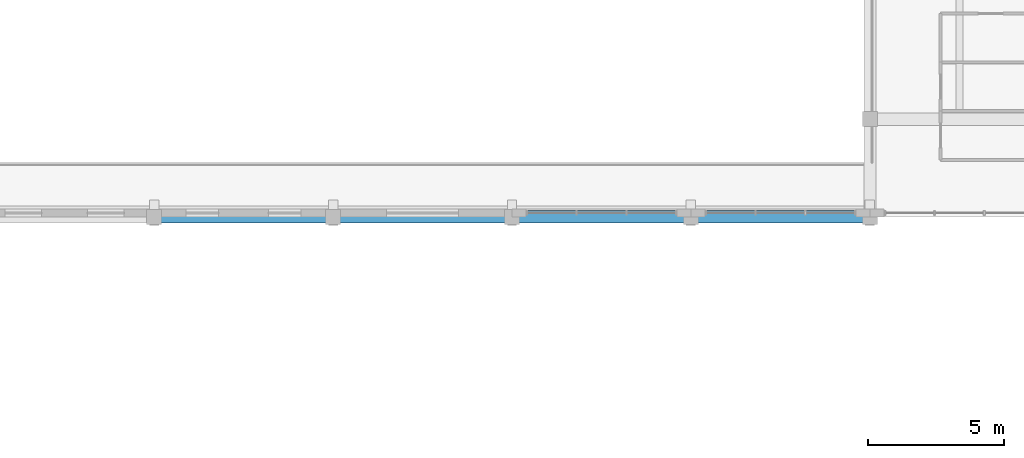
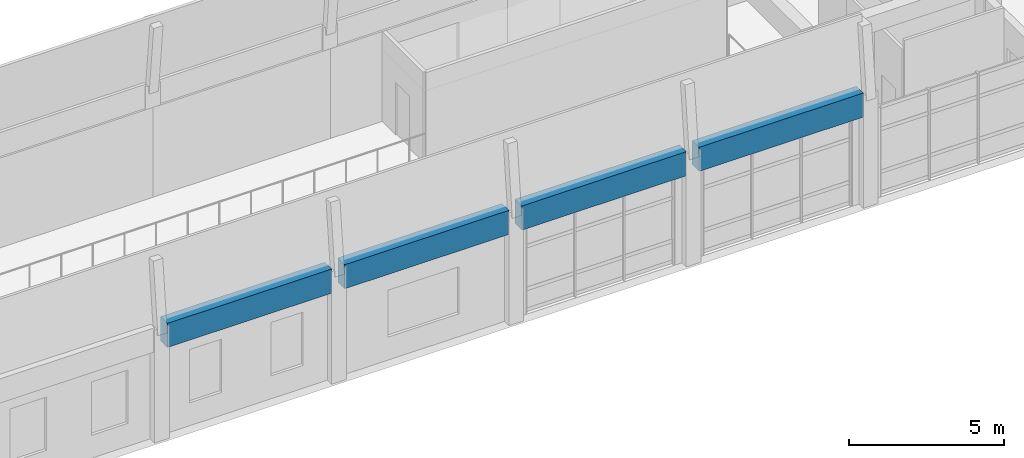
# One storey, part 10 of 50: 4 beams.
"""IFC4 building model written with IfcOpenShell, lengths in metres."""

from ifc_helpers import new_model, si_unit, direction, frame, origin, origin_2d, place, context, subcontext, project, spatial, rectangle, extrude, material, material_profile, profile_set, type_object, element, save


model = new_model("IFC4")

# Units and contexts
model_context = context("Model", 3, precision=1e-05, world=origin(), true_north=direction((0.0, 1.0)))
body_context = subcontext(model_context, "Body", "Model", "MODEL_VIEW")
ifc_project = project(units=[si_unit("LENGTHUNIT", "METRE"), si_unit("AREAUNIT", "SQUARE_METRE"), si_unit("VOLUMEUNIT", "CUBIC_METRE"), si_unit("PLANEANGLEUNIT", "RADIAN"), si_unit("MASSUNIT", "GRAM", prefix="KILO")], contexts=[model_context])

# Site, building, storey
site_placement = place(None, origin())
site = spatial("IfcSite", under=ifc_project, at=site_placement, CompositionType="ELEMENT")
building_placement = place(site_placement, origin())
building = spatial("IfcBuilding", under=site, at=building_placement, Name="Kolvaren Faculty of Natural Sciences", CompositionType="ELEMENT")
storey_placement = place(building_placement, frame((0.0, 0.0, 15.0)))
storey = spatial("IfcBuildingStorey", under=building, at=storey_placement, Name="L03", CompositionType="ELEMENT", Elevation=15.0)

# Beams
ifc_material = material(Name="Concrete C40/50", Category="concrete")
ifc_material_profile = material_profile(ifc_material, rectangle(XDim=0.449951171875, YDim=0.949951171875, at=origin_2d()), Name="RC EB 450x950")
ifc_profile_set = profile_set([ifc_material_profile], Name="Concrete C40/50")
beam_type = type_object("IfcBeamType", Name="ShellEdgeBeam_450x950", PredefinedType="SPANDREL", material=ifc_profile_set)
beam_1_placement = place(storey_placement, frame((73.0400390625, 72.199951171875, 4.02490234375), z_axis=(1.0, 0.0, 0.0), x_axis=(0.0, 1.0, 0.0)))
element("IfcBeam", 1, at=beam_1_placement, inside=storey, type_object=beam_type, Name="Central Sky-Lit Atrium Barrel Vault Shell visible RC edge beam EB-SHELL", PredefinedType="SPANDREL", context=body_context, shape_type="SweptSolid", body=[
    extrude(rectangle(XDim=0.449951171875, YDim=0.949951171875, at=origin_2d()), origin(), (0.0, 0.0, 1.0), 6.119873046875),
])
for number, where, z_axis, x_axis, name in (
    (2, (79.639892578125, 72.199951171875, 4.02490234375), (1.0, 0.0, 0.0), (0.0, 1.0, 0.0), "Central Sky-Lit Atrium Barrel Vault Shell visible RC edge beam EB-SHELL"),
    (3, (86.239990234375, 72.199951171875, 4.02490234375), (1.0, 0.0, 0.0), (0.0, 1.0, 0.0), "Central Sky-Lit Atrium Barrel Vault Shell visible RC edge beam EB-SHELL"),
):
    element("IfcBeam", number, at=place(storey_placement, frame(where, z_axis=z_axis, x_axis=x_axis)), inside=storey, type_object=beam_type, Name=name, PredefinedType="SPANDREL", context=body_context, shape_type="SweptSolid", body=[
        extrude(rectangle(XDim=0.449951171875, YDim=0.949951171875, at=origin_2d()), origin(), (0.0, 0.0, 1.0), 6.1201171875),
    ])
beam_2_placement = place(storey_placement, frame((92.840087890625, 72.199951171875, 4.02490234375), z_axis=(1.0, 0.0, 0.0), x_axis=(0.0, 1.0, 0.0)))
element("IfcBeam", 4, at=beam_2_placement, inside=storey, type_object=beam_type, Name="Central Sky-Lit Atrium Barrel Vault Shell visible RC edge beam EB-SHELL", PredefinedType="SPANDREL", context=body_context, shape_type="SweptSolid", body=[
    extrude(rectangle(XDim=0.449951171875, YDim=0.949951171875, at=origin_2d()), origin(), (0.0, 0.0, 1.0), 6.119873046875),
])

save(model, "model.ifc")
